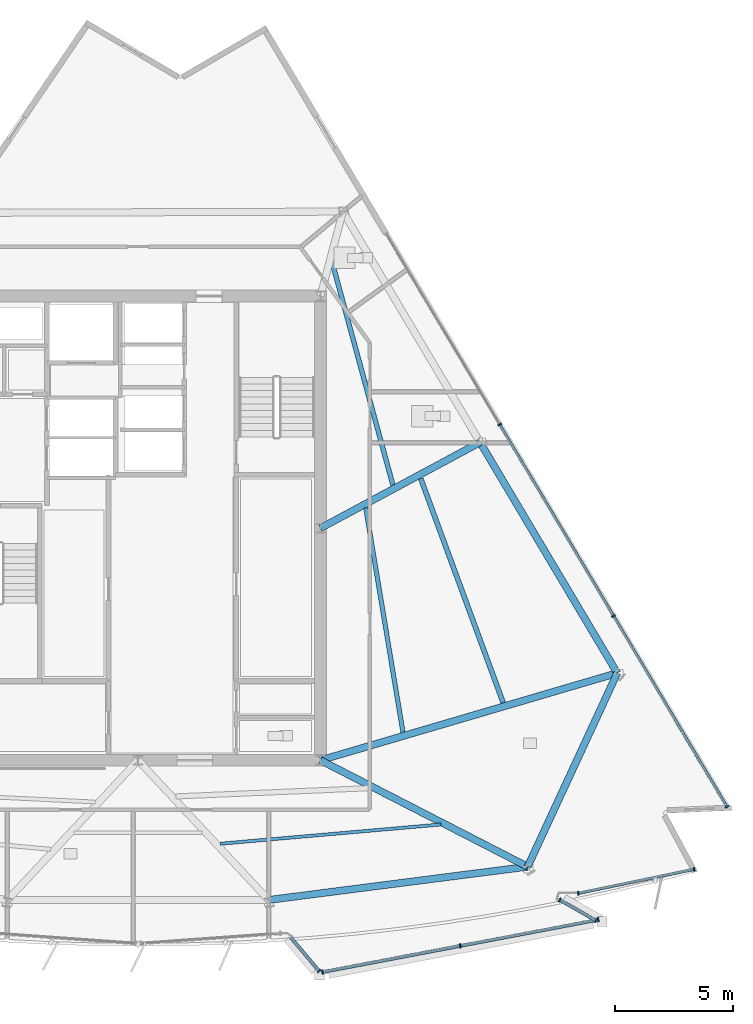
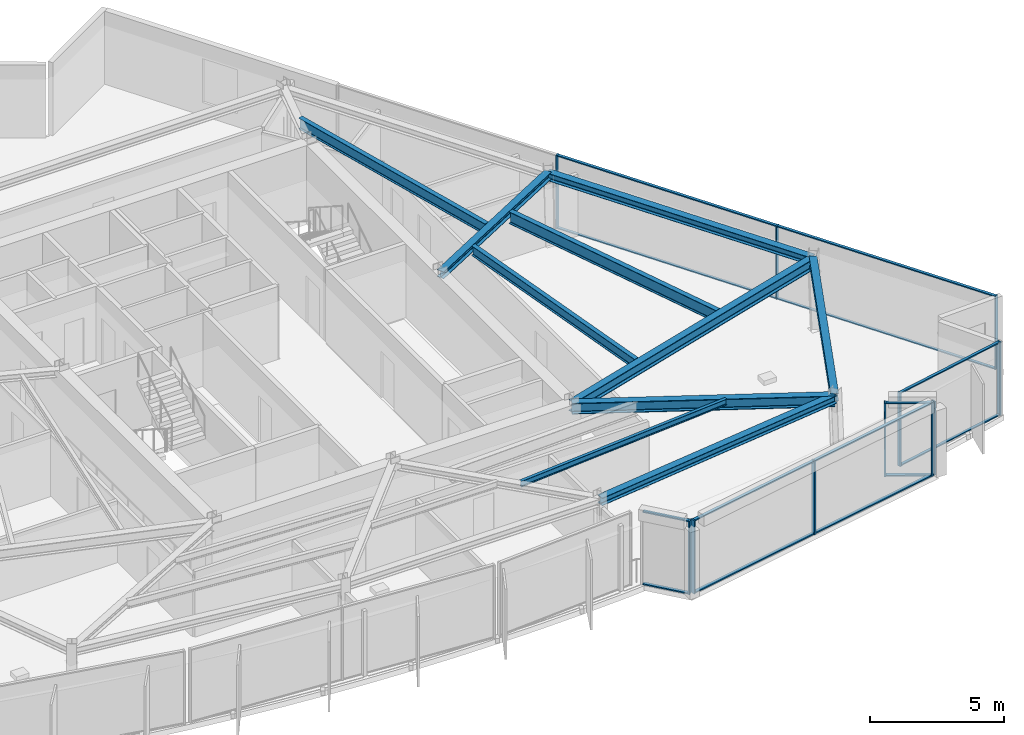
# One storey, part 5 of 14: 25 members, 10 beams, 5 elements without a shape of their own.
"""IFC4 building model written with IfcOpenShell, lengths in metres."""

import ifcopenshell
import ifcopenshell.guid

model = None  # the IFC model being written
_history = None  # IfcOwnerHistory: only IFC2X3 demands one
_inside = {}  # id of a spatial element -> (the spatial element, [elements in it])
_under = {}  # id of a project, library or spatial element -> (it, [spatial elements below it])
_declared = {}  # id of a project -> (the project, [libraries it declares])
_typed = {}  # id of a type object -> (the type object, [elements of that type])
_made_of = {}  # id of a material, layer set ... -> (it, [elements and type objects made of it])


def new_model(schema):
    """Start an empty IFC model of exactly this schema.

    Asked for "IFC4X3", IfcOpenShell would pick the latest addendum, in which some entities
    have other attributes; the version numbers below select the first issue.
    IFC2X3 requires an IfcOwnerHistory on every rooted entity: one is made here for all.
    """
    global model, _history
    if schema == "IFC4X3":
        model = ifcopenshell.file(schema_version=(4, 3, 0, 0))
    else:
        model = ifcopenshell.file(schema=schema)
    _inside.clear()
    _under.clear()
    _declared.clear()
    _typed.clear()
    _made_of.clear()
    _history = None
    if model.schema == "IFC2X3":
        org = make("IfcOrganization", Name="unknown")
        user = make(
            "IfcPersonAndOrganization",
            ThePerson=make("IfcPerson", FamilyName="unknown"),
            TheOrganization=org,
        )
        app = make(
            "IfcApplication",
            ApplicationDeveloper=org,
            Version="unknown",
            ApplicationFullName="unknown",
            ApplicationIdentifier="unknown",
        )
        _history = make(
            "IfcOwnerHistory",
            OwningUser=user,
            OwningApplication=app,
            ChangeAction="ADDED",
            CreationDate=0,
        )
    return model


def make(cls, **values):
    """One entity of the class cls with the attributes given. An attribute that is None is left unset."""
    return model.create_entity(
        cls, **{name: value for name, value in values.items() if value is not None}
    )


def rooted(cls, **values):
    """An entity with a GlobalId (a new one), such as an element, a storey or a relation."""
    return make(cls, GlobalId=ifcopenshell.guid.new(), OwnerHistory=_history, **values)


def si_unit(unit_type, name, prefix=None):
    """IfcSIUnit, for example si_unit("LENGTHUNIT", "METRE", prefix="MILLI")."""
    return make("IfcSIUnit", UnitType=unit_type, Prefix=prefix, Name=name)


def assignment(units):
    """IfcUnitAssignment: the units of a project."""
    return None if units is None else make("IfcUnitAssignment", Units=units)


def point(xyz):
    """IfcCartesianPoint."""
    return None if xyz is None else make("IfcCartesianPoint", Coordinates=xyz)


def direction(xyz):
    """IfcDirection."""
    return None if xyz is None else make("IfcDirection", DirectionRatios=xyz)


def frame(location, z_axis=None, x_axis=None):
    """IfcAxis2Placement3D, a coordinate frame: its origin and axes. An axis left out is left unset."""
    return make(
        "IfcAxis2Placement3D",
        Location=point(location),
        Axis=direction(z_axis),
        RefDirection=direction(x_axis),
    )


def frame_2d(location, x_axis=None):
    """IfcAxis2Placement2D, a coordinate frame in the plane: its origin and x axis."""
    return make(
        "IfcAxis2Placement2D", Location=point(location), RefDirection=direction(x_axis)
    )


def origin():
    """The frame at (0, 0, 0) with its axes left unset."""
    return frame((0.0, 0.0, 0.0))


def origin_2d():
    """The frame at (0, 0) in the plane with its x axis left unset."""
    return frame_2d((0.0, 0.0))


def place(relative_to, where):
    """IfcLocalPlacement: puts the frame where relative to a parent placement (None: the world)."""
    return make(
        "IfcLocalPlacement", PlacementRelTo=relative_to, RelativePlacement=where
    )


def context(
    kind, dimensions, precision=None, world=None, true_north=None, identifier=None
):
    """IfcGeometricRepresentationContext, for example the 3D "Model" context."""
    return make(
        "IfcGeometricRepresentationContext",
        ContextIdentifier=identifier,
        ContextType=kind,
        CoordinateSpaceDimension=dimensions,
        Precision=precision,
        WorldCoordinateSystem=world,
        TrueNorth=true_north,
    )


def subcontext(parent, identifier, kind, view, scale=None):
    """IfcGeometricRepresentationSubContext, for example "Body" below "Model"."""
    return make(
        "IfcGeometricRepresentationSubContext",
        ContextIdentifier=identifier,
        ContextType=kind,
        ParentContext=parent,
        TargetScale=scale,
        TargetView=view,
    )


def project(units=None, contexts=None):
    """IfcProject with its units and contexts."""
    return rooted(
        "IfcProject",
        Name="project",
        RepresentationContexts=contexts,
        UnitsInContext=assignment(units),
    )


def spatial(cls, under=None, at=None, **own):
    """A site, building, storey or space (cls), placed at a placement, below another one or the project."""
    s = rooted(cls, ObjectPlacement=at, **own)
    if under is not None:
        _under.setdefault(under.id(), (under, []))[1].append(s)
    return s


def profile(cls, at=None, kind="AREA", **sizes):
    """A parametric profile (cls). Its sizes go by their IFC names, for example OverallWidth=200.0."""
    return make(cls, ProfileType=kind, Position=at, **sizes)


def rectangle(**sizes):
    """IfcRectangleProfileDef."""
    return profile("IfcRectangleProfileDef", **sizes)


def i_section(**sizes):
    """IfcIShapeProfileDef."""
    return profile("IfcIShapeProfileDef", **sizes)


def extrude(swept, where, along, depth):
    """IfcExtrudedAreaSolid: the profile swept, set in the frame where, extruded along a direction by depth."""
    return make(
        "IfcExtrudedAreaSolid",
        SweptArea=swept,
        Position=where,
        ExtrudedDirection=direction(along),
        Depth=depth,
    )


def shape(context_of_items, identifier, shape_type, items):
    """IfcShapeRepresentation: the items that make up one representation, for example the "Body"."""
    return make(
        "IfcShapeRepresentation",
        ContextOfItems=context_of_items,
        RepresentationIdentifier=identifier,
        RepresentationType=shape_type,
        Items=items,
    )


def material(Name=None, Category=None):
    """IfcMaterial."""
    return make("IfcMaterial", Name=Name, Category=Category)


def material_profile(
    of_material, cross_section, Name=None, Category=None, Priority=None
):
    """IfcMaterialProfile: a cross section and its material."""
    return make(
        "IfcMaterialProfile",
        Name=Name,
        Material=of_material,
        Profile=cross_section,
        Priority=Priority,
        Category=Category,
    )


def profile_set(profiles, Name=None, composite=None):
    """IfcMaterialProfileSet."""
    return make(
        "IfcMaterialProfileSet",
        Name=Name,
        MaterialProfiles=profiles,
        CompositeProfile=composite,
    )


def made_of(thing, what):
    """Note that an element or type object is made of a material, layer set ...; save() writes the relation."""
    if what is not None:
        _made_of.setdefault(what.id(), (what, []))[1].append(thing)
    return thing


def type_object(cls, material=None, **own):
    """A type object (cls), such as IfcWallType, which elements share."""
    return made_of(rooted(cls, **own), material)


def element(
    cls,
    number,
    at=None,
    inside=None,
    cuts=None,
    type_object=None,
    material=None,
    context=None,
    identifier="Body",
    shape_type=None,
    held_by="IfcProductDefinitionShape",
    body=None,
    shapes=None,
    **own,
):
    """One element of the class cls, such as IfcWall. Its Tag is "e" and its number.

    at: its placement. inside: the storey or other place that contains it. cuts: it is an
    opening in that element (IfcRelVoidsElement). A single representation is given by context,
    identifier, shape_type and body (its items); several are given by shapes. held_by: the class
    of the entity that holds the representations. save() writes the other relations.
    """
    e = rooted(cls, Tag="e%d" % number, ObjectPlacement=at, **own)
    if body is not None:
        shapes = [shape(context, identifier, shape_type, body)]
    if shapes is not None:
        e.Representation = make(held_by, Representations=shapes)
    if inside is not None:
        _inside.setdefault(inside.id(), (inside, []))[1].append(e)
    if cuts is not None:
        rooted(
            "IfcRelVoidsElement", RelatingBuildingElement=cuts, RelatedOpeningElement=e
        )
    if type_object is not None:
        _typed.setdefault(type_object.id(), (type_object, []))[1].append(e)
    return made_of(e, material)


def aggregate(whole, parts):
    """IfcRelAggregates: a whole, such as a stair, and the parts it consists of."""
    return rooted("IfcRelAggregates", RelatingObject=whole, RelatedObjects=parts)


def save(model, path):
    """Write the relations noted so far, then the file.

    IfcRelAggregates (storeys below a building ...), IfcRelContainedInSpatialStructure (elements
    in a storey), IfcRelDefinesByType, IfcRelAssociatesMaterial and IfcRelDeclares: one each for
    every whole, place, type object, material and project.
    """
    for whole, parts in _under.values():
        aggregate(whole, parts)
    for where, things in _inside.values():
        rooted(
            "IfcRelContainedInSpatialStructure",
            RelatedElements=things,
            RelatingStructure=where,
        )
    for kind, things in _typed.values():
        rooted("IfcRelDefinesByType", RelatedObjects=things, RelatingType=kind)
    for what, things in _made_of.values():
        rooted("IfcRelAssociatesMaterial", RelatedObjects=things, RelatingMaterial=what)
    for by, libraries in _declared.values():
        rooted("IfcRelDeclares", RelatingContext=by, RelatedDefinitions=libraries)
    model.write(path)


model = new_model("IFC4")

# Units and contexts
model_context = context("Model", 3, precision=1e-05, world=origin(), true_north=direction((0.0, 1.0)))
body_context = subcontext(model_context, "Body", "Model", "MODEL_VIEW")
ifc_project = project(units=[si_unit("LENGTHUNIT", "METRE"), si_unit("AREAUNIT", "SQUARE_METRE"), si_unit("VOLUMEUNIT", "CUBIC_METRE"), si_unit("PLANEANGLEUNIT", "RADIAN"), si_unit("MASSUNIT", "GRAM", prefix="KILO")], contexts=[model_context])

# Site, building, storey
site_placement = place(None, origin())
site = spatial("IfcSite", under=ifc_project, at=site_placement, CompositionType="ELEMENT")
building_placement = place(site_placement, origin())
building = spatial("IfcBuilding", under=site, at=building_placement, Name="Savorim Split Tower", CompositionType="ELEMENT")
storey_placement = place(building_placement, frame((0.0, 0.0, 219.89990234375)))
storey = spatial("IfcBuildingStorey", under=building, at=storey_placement, Name="L58", CompositionType="ELEMENT", Elevation=219.89990234375)

# Beams
ifc_material_1 = material(Name="Steel S355", Category="steel")
ifc_material_profile_1 = material_profile(ifc_material_1, i_section(OverallWidth=0.135009765625, OverallDepth=0.27001953125, WebThickness=0.006591796875, FlangeThickness=0.01025390625, FilletRadius=0.014892578125, at=origin_2d()), Name="IPE 270")
ifc_profile_set_1 = profile_set([ifc_material_profile_1], Name="Steel S355")
beam_type_1 = type_object("IfcBeamType", Name="BM-JST-IPE270", PredefinedType="JOIST", material=ifc_profile_set_1)
beam_1_placement = place(storey_placement, frame((3.467041015625, -12.925048828125, 3.215087890625), z_axis=(0.996205262768, 0.087034903535, 0.0), x_axis=(-0.087034903535, 0.996205262768, 0.0)))
element("IfcBeam", 1, at=beam_1_placement, inside=storey, type_object=beam_type_1, Name="L58 Secondary Floor Joist JS-04", PredefinedType="JOIST", context=body_context, shape_type="SweptSolid", body=[
    extrude(i_section(OverallWidth=0.135009765625, OverallDepth=0.27001953125, WebThickness=0.006591796875, FlangeThickness=0.01025390625, FilletRadius=0.014892578125, at=origin_2d()), origin(), (0.0, 0.0, 1.0), 9.357666015625),
])
ifc_material_profile_2 = material_profile(ifc_material_1, i_section(OverallWidth=0.18994140625, OverallDepth=0.449951171875, WebThickness=0.009521484375, FlangeThickness=0.0146484375, FilletRadius=0.02099609375, at=origin_2d()), Name="IPE 450")
ifc_profile_set_2 = profile_set([ifc_material_profile_2], Name="Steel S355")
beam_type_2 = type_object("IfcBeamType", Name="BM-JST-IPE450", PredefinedType="JOIST", material=ifc_profile_set_2)
beam_2_placement = place(storey_placement, frame((11.1826171875, -8.21142578125, 3.125), z_axis=(-0.163545012458, 0.986535873093, 0.0), x_axis=(-0.986535873093, -0.163545012458, 0.0)))
element("IfcBeam", 2, at=beam_2_placement, inside=storey, type_object=beam_type_2, Name="L58 Secondary Floor Joist JS-08", PredefinedType="JOIST", context=body_context, shape_type="SweptSolid", body=[
    extrude(i_section(OverallWidth=0.18994140625, OverallDepth=0.449951171875, WebThickness=0.009521484375, FlangeThickness=0.0146484375, FilletRadius=0.02099609375, at=origin_2d()), origin(), (0.0, 0.0, 1.0), 9.59716796875),
])
ifc_material_profile_3 = material_profile(ifc_material_1, i_section(OverallWidth=0.199951171875, OverallDepth=0.5, WebThickness=0.01025390625, FlangeThickness=0.01611328125, FilletRadius=0.02099609375, at=origin_2d()), Name="IPE 500")
ifc_profile_set_3 = profile_set([ifc_material_profile_3], Name="Steel S355")
beam_type_3 = type_object("IfcBeamType", Name="BM-JST-IPE500", PredefinedType="JOIST", material=ifc_profile_set_3)
beam_3_placement = place(storey_placement, frame((10.757568359375, 2.220947265625, 3.10009765625), z_axis=(-0.263052125534, 0.964781622572, 0.0), x_axis=(-0.964781622572, -0.263052125534, 0.0)))
element("IfcBeam", 3, at=beam_3_placement, inside=storey, type_object=beam_type_3, Name="L58 Secondary Floor Joist JS-07", PredefinedType="JOIST", context=body_context, shape_type="SweptSolid", body=[
    extrude(i_section(OverallWidth=0.199951171875, OverallDepth=0.5, WebThickness=0.01025390625, FlangeThickness=0.01611328125, FilletRadius=0.02099609375, at=origin_2d()), origin(), (0.0, 0.0, 1.0), 9.81005859375),
])
ifc_material_profile_4 = material_profile(ifc_material_1, i_section(OverallWidth=0.2099609375, OverallDepth=0.550048828125, WebThickness=0.010986328125, FlangeThickness=0.01708984375, FilletRadius=0.02392578125, at=origin_2d()), Name="IPE 550")
ifc_profile_set_4 = profile_set([ifc_material_profile_4], Name="Steel S355")
beam_type_4 = type_object("IfcBeamType", Name="BM-JST-IPE550", PredefinedType="JOIST", material=ifc_profile_set_4)
beam_4_placement = place(storey_placement, frame((15.414306640625, -6.967529296875, 3.0751953125), z_axis=(-0.345234073636, 0.938516613812, 0.0), x_axis=(-0.938516613812, -0.345234073636, 0.0)))
element("IfcBeam", 4, at=beam_4_placement, inside=storey, type_object=beam_type_4, Name="L58 Secondary Floor Joist JS-06", PredefinedType="JOIST", context=body_context, shape_type="SweptSolid", body=[
    extrude(i_section(OverallWidth=0.2099609375, OverallDepth=0.550048828125, WebThickness=0.010986328125, FlangeThickness=0.01708984375, FilletRadius=0.02392578125, at=origin_2d()), origin(), (0.0, 0.0, 1.0), 10.08349609375),
])
ifc_material_profile_5 = material_profile(ifc_material_1, i_section(OverallWidth=0.300048828125, OverallDepth=0.320068359375, WebThickness=0.011474609375, FlangeThickness=0.0205078125, FilletRadius=0.027099609375, at=origin_2d()), Name="HEB 320")
ifc_profile_set_5 = profile_set([ifc_material_profile_5], Name="Steel S355")
beam_type_5 = type_object("IfcBeamType", Name="BM-PRI-HEB320", PredefinedType="BEAM", material=ifc_profile_set_5)
beam_5_placement = place(storey_placement, frame((14.4384765625, 4.023193359375, 3.190185546875), z_axis=(-0.8807516962, -0.473578345832, 0.0), x_axis=(0.473578345832, -0.8807516962, 0.0)))
element("IfcBeam", 5, at=beam_5_placement, inside=storey, type_object=beam_type_5, Name="L58 Primary Floor Girder RG-06", PredefinedType="BEAM", context=body_context, shape_type="SweptSolid", body=[
    extrude(i_section(OverallWidth=0.300048828125, OverallDepth=0.320068359375, WebThickness=0.011474609375, FlangeThickness=0.0205078125, FilletRadius=0.027099609375, at=origin_2d()), origin(), (0.0, 0.0, 1.0), 7.65087890625),
])
ifc_material_profile_6 = material_profile(ifc_material_1, i_section(OverallWidth=0.300048828125, OverallDepth=0.5, WebThickness=0.014404296875, FlangeThickness=0.028076171875, FilletRadius=0.027099609375, at=origin_2d()), Name="HEB 500")
ifc_profile_set_6 = profile_set([ifc_material_profile_6], Name="Steel S355")
beam_type_6 = type_object("IfcBeamType", Name="BM-PRI-HEB500", PredefinedType="BEAM", material=ifc_profile_set_6)
beam_6_placement = place(storey_placement, frame((16.447998046875, -13.894287109375, 3.10009765625), z_axis=(-0.889478397025, 0.45697722178, 0.0), x_axis=(-0.45697722178, -0.889478397025, 0.0)))
element("IfcBeam", 6, at=beam_6_placement, inside=storey, type_object=beam_type_6, Name="L58 Primary Floor Girder RG-04", PredefinedType="BEAM", context=body_context, shape_type="SweptSolid", body=[
    extrude(i_section(OverallWidth=0.300048828125, OverallDepth=0.5, WebThickness=0.014404296875, FlangeThickness=0.028076171875, FilletRadius=0.027099609375, at=origin_2d()), origin(), (0.0, 0.0, 1.0), 9.8349609375),
])
beam_7_placement = place(storey_placement, frame((20.231201171875, -5.718994140625, 3.10009765625), z_axis=(-0.959463967234, -0.281831324696, 0.0), x_axis=(0.281831324696, -0.959463967234, 0.0)))
element("IfcBeam", 7, at=beam_7_placement, inside=storey, type_object=beam_type_6, Name="L58 Primary Floor Girder RG-05", PredefinedType="BEAM", context=body_context, shape_type="SweptSolid", body=[
    extrude(i_section(OverallWidth=0.300048828125, OverallDepth=0.5, WebThickness=0.014404296875, FlangeThickness=0.028076171875, FilletRadius=0.027099609375, at=origin_2d()), origin(), (0.0, 0.0, 1.0), 13.060791015625),
])
ifc_material_profile_7 = material_profile(ifc_material_1, i_section(OverallWidth=0.300048828125, OverallDepth=0.35009765625, WebThickness=0.010009765625, FlangeThickness=0.017578125, FilletRadius=0.027099609375, at=origin_2d()), Name="HEA 360")
ifc_profile_set_7 = profile_set([ifc_material_profile_7], Name="Steel S355")
beam_type_7 = type_object("IfcBeamType", Name="BM-SPN-HEA360", PredefinedType="SPANDREL", material=ifc_profile_set_7)
beam_8_placement = place(storey_placement, frame((5.5126953125, -15.29833984375, 3.175048828125), z_axis=(0.991857726894, 0.127350891638, 0.0), x_axis=(-0.127350891638, 0.991857726894, 0.0)))
element("IfcBeam", 8, at=beam_8_placement, inside=storey, type_object=beam_type_7, Name="L58 Perimeter Spandrel Beam 3", PredefinedType="SPANDREL", context=body_context, shape_type="SweptSolid", body=[
    extrude(i_section(OverallWidth=0.300048828125, OverallDepth=0.35009765625, WebThickness=0.010009765625, FlangeThickness=0.017578125, FilletRadius=0.027099609375, at=origin_2d()), origin(), (0.0, 0.0, 1.0), 11.025146484375),
])
beam_9_placement = place(storey_placement, frame((16.447998046875, -13.894287109375, 3.175048828125), z_axis=(0.419972293269, 0.907536926459, 0.0), x_axis=(-0.907536926459, 0.419972293269, 0.0)))
element("IfcBeam", 9, at=beam_9_placement, inside=storey, type_object=beam_type_7, Name="L58 Perimeter Spandrel Beam 4", PredefinedType="SPANDREL", context=body_context, shape_type="SweptSolid", body=[
    extrude(i_section(OverallWidth=0.300048828125, OverallDepth=0.35009765625, WebThickness=0.010009765625, FlangeThickness=0.017578125, FilletRadius=0.027099609375, at=origin_2d()), origin(), (0.0, 0.0, 1.0), 9.00830078125),
])
beam_10_placement = place(storey_placement, frame((20.231201171875, -5.718994140625, 3.175048828125), z_axis=(-0.511080124002, 0.859533074902, 0.0), x_axis=(-0.859533074902, -0.511080124002, 0.0)))
element("IfcBeam", 10, at=beam_10_placement, inside=storey, type_object=beam_type_7, Name="L58 Perimeter Spandrel Beam 5", PredefinedType="SPANDREL", context=body_context, shape_type="SweptSolid", body=[
    extrude(i_section(OverallWidth=0.300048828125, OverallDepth=0.35009765625, WebThickness=0.010009765625, FlangeThickness=0.017578125, FilletRadius=0.027099609375, at=origin_2d()), origin(), (0.0, 0.0, 1.0), 11.334228515625),
])

# Curtain wall, members
ifc_material_2 = material(Name="Dark Ceramic-Fritted Insulated Glass", Category="glass")
curtain_wall_type_1 = type_object("IfcCurtainWallType", Name="CW-TWR-FRIT-B", PredefinedType="NOTDEFINED", material=ifc_material_2)
curtain_wall_1_placement = place(storey_placement, origin())
curtain_wall_1 = element("IfcCurtainWall", 11, at=curtain_wall_1_placement, inside=storey, type_object=curtain_wall_type_1, Name="L58 Curtain Wall CW-L58-SF4A", PredefinedType="NOTDEFINED")
ifc_material_3 = material(Name="Charcoal Anodised Aluminium", Category="aluminium")
ifc_material_profile_8 = material_profile(ifc_material_3, rectangle(XDim=0.159912109375, YDim=0.06005859375, at=origin_2d()), Name="ALU-M 160x60")
ifc_profile_set_8 = profile_set([ifc_material_profile_8], Name="Charcoal Anodised Aluminium")
member_type_1 = type_object("IfcMemberType", Name="CWM-160x60", PredefinedType="MULLION", material=ifc_profile_set_8)
member_1_placement = place(storey_placement, frame((18.582763671875, -15.015869140625, 0.0), z_axis=(0.0, 0.0, 1.0), x_axis=(-0.203212165958, 0.979134728016, 0.0)))
member_1 = element("IfcMember", 12, at=member_1_placement, type_object=member_type_1, Name="CW-03 mullion 1", PredefinedType="MULLION", context=body_context, shape_type="SweptSolid", body=[
    extrude(rectangle(XDim=0.159912109375, YDim=0.06005859375, at=origin_2d()), origin(), (0.0, 0.0, 1.0), 3.35009765625),
])
member_2_placement = place(storey_placement, frame((23.47705078125, -14.0, 0.0), z_axis=(0.0, 0.0, 1.0), x_axis=(-0.203212165958, 0.979134728016, 0.0)))
member_2 = element("IfcMember", 13, at=member_2_placement, type_object=member_type_1, Name="CW-03 mullion 2", PredefinedType="MULLION", context=body_context, shape_type="SweptSolid", body=[
    extrude(rectangle(XDim=0.159912109375, YDim=0.06005859375, at=origin_2d()), origin(), (0.0, 0.0, 1.0), 3.35009765625),
])

curtain_wall_2_placement = place(storey_placement, origin())
curtain_wall_2 = element("IfcCurtainWall", 14, at=curtain_wall_2_placement, inside=storey, type_object=curtain_wall_type_1, Name="L58 Curtain Wall CW-L58-EAST", PredefinedType="NOTDEFINED")
member_3_placement = place(storey_placement, frame((24.8623046875, -11.363037109375, 0.0), z_axis=(0.0, 0.0, 1.0), x_axis=(-0.859523513249, -0.51109620442, 0.0)))
member_3 = element("IfcMember", 15, at=member_3_placement, type_object=member_type_1, Name="CW-03 mullion 1", PredefinedType="MULLION", context=body_context, shape_type="SweptSolid", body=[
    extrude(rectangle(XDim=0.159912109375, YDim=0.06005859375, at=origin_2d()), origin(), (0.0, 0.0, 1.0), 3.35009765625),
])
member_4_placement = place(storey_placement, frame((20.072021484375, -3.30712890625, 0.0), z_axis=(0.0, 0.0, 1.0), x_axis=(-0.859523513249, -0.51109620442, 0.0)))
member_4 = element("IfcMember", 16, at=member_4_placement, type_object=member_type_1, Name="CW-03 mullion 2", PredefinedType="MULLION", context=body_context, shape_type="SweptSolid", body=[
    extrude(rectangle(XDim=0.159912109375, YDim=0.06005859375, at=origin_2d()), origin(), (0.0, 0.0, 1.0), 3.35009765625),
])
member_5_placement = place(storey_placement, frame((15.266357421875, 4.7744140625, 0.0), z_axis=(0.0, 0.0, 1.0), x_axis=(-0.859523513249, -0.51109620442, 0.0)))
member_5 = element("IfcMember", 17, at=member_5_placement, type_object=member_type_1, Name="CW-03 mullion 3", PredefinedType="MULLION", context=body_context, shape_type="SweptSolid", body=[
    extrude(rectangle(XDim=0.159912109375, YDim=0.06005859375, at=origin_2d()), origin(), (0.0, 0.0, 1.0), 3.35009765625),
])

curtain_wall_type_2 = type_object("IfcCurtainWallType", Name="CW-BAY-LOUNGE", PredefinedType="NOTDEFINED", material=ifc_material_2)
curtain_wall_3_placement = place(storey_placement, origin())
curtain_wall_3 = element("IfcCurtainWall", 18, at=curtain_wall_3_placement, inside=storey, type_object=curtain_wall_type_2, Name="L58 Curtain Wall CW-L58-BAYF", PredefinedType="NOTDEFINED")
ifc_material_profile_9 = material_profile(ifc_material_3, rectangle(XDim=0.179931640625, YDim=0.06494140625, at=origin_2d()), Name="ALU-M 180x65")
ifc_profile_set_9 = profile_set([ifc_material_profile_9], Name="Charcoal Anodised Aluminium")
member_type_2 = type_object("IfcMemberType", Name="CWM-180x65", PredefinedType="MULLION", material=ifc_profile_set_9)
member_6_placement = place(storey_placement, frame((7.78515625, -18.3408203125, 0.0), z_axis=(0.0, 0.0, 1.0), x_axis=(-0.186567075437, 0.982442225458, 0.0)))
member_6 = element("IfcMember", 19, at=member_6_placement, type_object=member_type_2, Name="CW-04 mullion 1", PredefinedType="MULLION", context=body_context, shape_type="SweptSolid", body=[
    extrude(rectangle(XDim=0.179931640625, YDim=0.06494140625, at=origin_2d()), origin(), (0.0, 0.0, 1.0), 3.35009765625),
])
member_7_placement = place(storey_placement, frame((13.60546875, -17.235595703125, 0.0), z_axis=(0.0, 0.0, 1.0), x_axis=(-0.186567075437, 0.982442225458, 0.0)))
member_7 = element("IfcMember", 20, at=member_7_placement, type_object=member_type_2, Name="CW-04 mullion 2", PredefinedType="MULLION", context=body_context, shape_type="SweptSolid", body=[
    extrude(rectangle(XDim=0.179931640625, YDim=0.06494140625, at=origin_2d()), origin(), (0.0, 0.0, 1.0), 3.35009765625),
])
member_8_placement = place(storey_placement, frame((19.42578125, -16.13037109375, 0.0), z_axis=(0.0, 0.0, 1.0), x_axis=(-0.186567075437, 0.982442225458, 0.0)))
member_8 = element("IfcMember", 21, at=member_8_placement, type_object=member_type_2, Name="CW-04 mullion 3", PredefinedType="MULLION", context=body_context, shape_type="SweptSolid", body=[
    extrude(rectangle(XDim=0.179931640625, YDim=0.06494140625, at=origin_2d()), origin(), (0.0, 0.0, 1.0), 3.35009765625),
])

# Curtain wall, member
curtain_wall_4_placement = place(storey_placement, origin())
curtain_wall_4 = element("IfcCurtainWall", 22, at=curtain_wall_4_placement, inside=storey, type_object=curtain_wall_type_2, Name="L58 Curtain Wall CW-L58-BAYW", PredefinedType="NOTDEFINED")
member_9_placement = place(storey_placement, frame((7.64501953125, -18.3017578125, 0.0), z_axis=(0.0, 0.0, 1.0), x_axis=(0.764175565711, 0.645008298218, 0.0)))
member_9 = element("IfcMember", 23, at=member_9_placement, type_object=member_type_2, Name="CW-04 mullion 2", PredefinedType="MULLION", context=body_context, shape_type="SweptSolid", body=[
    extrude(rectangle(XDim=0.179931640625, YDim=0.06494140625, at=origin_2d()), origin(), (0.0, 0.0, 1.0), 3.35009765625),
])

# Curtain wall, members
curtain_wall_5_placement = place(storey_placement, origin())
curtain_wall_5 = element("IfcCurtainWall", 24, at=curtain_wall_5_placement, inside=storey, type_object=curtain_wall_type_2, Name="L58 Curtain Wall CW-L58-BAYE", PredefinedType="NOTDEFINED")
member_10_placement = place(storey_placement, frame((19.33837890625, -16.169189453125, 0.0), z_axis=(0.0, 0.0, 1.0), x_axis=(-0.49632671971, -0.868135811554, 0.0)))
member_10 = element("IfcMember", 25, at=member_10_placement, type_object=member_type_2, Name="CW-04 mullion 1", PredefinedType="MULLION", context=body_context, shape_type="SweptSolid", body=[
    extrude(rectangle(XDim=0.179931640625, YDim=0.06494140625, at=origin_2d()), origin(), (0.0, 0.0, 1.0), 3.35009765625),
])
member_11_placement = place(storey_placement, frame((17.8017578125, -15.29052734375, 0.0), z_axis=(0.0, 0.0, 1.0), x_axis=(-0.49632671971, -0.868135811554, 0.0)))
member_11 = element("IfcMember", 26, at=member_11_placement, type_object=member_type_2, Name="CW-04 mullion 2", PredefinedType="MULLION", context=body_context, shape_type="SweptSolid", body=[
    extrude(rectangle(XDim=0.179931640625, YDim=0.06494140625, at=origin_2d()), origin(), (0.0, 0.0, 1.0), 3.35009765625),
])

# Member
ifc_material_profile_10 = material_profile(ifc_material_3, rectangle(XDim=0.1201171875, YDim=0.050048828125, at=origin_2d()), Name="ALU-T 120x50")
ifc_profile_set_10 = profile_set([ifc_material_profile_10], Name="Charcoal Anodised Aluminium")
member_type_3 = type_object("IfcMemberType", Name="CWT-120x50", PredefinedType="USERDEFINED", material=ifc_profile_set_10)
member_12_placement = place(storey_placement, frame((18.612060546875, -15.009765625, 0.025146484375), z_axis=(0.979132723929, 0.203221821986, 0.0), x_axis=(-0.203221821986, 0.979132723929, 0.0)))
member_12 = element("IfcMember", 27, at=member_12_placement, type_object=member_type_3, Name="CW-03 transom 1.1", ObjectType="TRANSOM", PredefinedType="USERDEFINED", context=body_context, shape_type="SweptSolid", body=[
    extrude(rectangle(XDim=0.1201171875, YDim=0.050048828125, at=origin_2d()), origin(), (0.0, 0.0, 1.0), 4.938720703125),
])

member_13_placement = place(storey_placement, frame((18.612060546875, -15.009765625, 3.3251953125), z_axis=(0.979132723929, 0.203221821986, 0.0), x_axis=(-0.203221821986, 0.979132723929, 0.0)))
member_13 = element("IfcMember", 28, at=member_13_placement, type_object=member_type_3, Name="CW-03 transom 1.2", ObjectType="TRANSOM", PredefinedType="USERDEFINED", context=body_context, shape_type="SweptSolid", body=[
    extrude(rectangle(XDim=0.1201171875, YDim=0.050048828125, at=origin_2d()), origin(), (0.0, 0.0, 1.0), 4.938720703125),
])

aggregate(curtain_wall_1, [member_1, member_2, member_12, member_13])

member_14_placement = place(storey_placement, frame((24.846923828125, -11.33740234375, 0.025146484375), z_axis=(-0.511087432816, 0.859528729024, 0.0), x_axis=(-0.859528729024, -0.511087432816, 0.0)))
member_14 = element("IfcMember", 29, at=member_14_placement, type_object=member_type_3, Name="CW-03 transom 1.1", ObjectType="TRANSOM", PredefinedType="USERDEFINED", context=body_context, shape_type="SweptSolid", body=[
    extrude(rectangle(XDim=0.1201171875, YDim=0.050048828125, at=origin_2d()), origin(), (0.0, 0.0, 1.0), 9.3125),
])

member_15_placement = place(storey_placement, frame((24.846923828125, -11.33740234375, 3.3251953125), z_axis=(-0.511087432816, 0.859528729024, 0.0), x_axis=(-0.859528729024, -0.511087432816, 0.0)))
member_15 = element("IfcMember", 30, at=member_15_placement, type_object=member_type_3, Name="CW-03 transom 1.2", ObjectType="TRANSOM", PredefinedType="USERDEFINED", context=body_context, shape_type="SweptSolid", body=[
    extrude(rectangle(XDim=0.1201171875, YDim=0.050048828125, at=origin_2d()), origin(), (0.0, 0.0, 1.0), 9.3125),
])

member_16_placement = place(storey_placement, frame((20.056640625, -3.281494140625, 0.025146484375), z_axis=(-0.511086872234, 0.859529062354, 0.0), x_axis=(-0.859529062354, -0.511086872234, 0.0)))
member_16 = element("IfcMember", 31, at=member_16_placement, type_object=member_type_3, Name="CW-03 transom 2.1", ObjectType="TRANSOM", PredefinedType="USERDEFINED", context=body_context, shape_type="SweptSolid", body=[
    extrude(rectangle(XDim=0.1201171875, YDim=0.050048828125, at=origin_2d()), origin(), (0.0, 0.0, 1.0), 9.342529296875),
])

member_17_placement = place(storey_placement, frame((20.056640625, -3.281494140625, 3.3251953125), z_axis=(-0.511086872234, 0.859529062354, 0.0), x_axis=(-0.859529062354, -0.511086872234, 0.0)))
member_17 = element("IfcMember", 32, at=member_17_placement, type_object=member_type_3, Name="CW-03 transom 2.2", ObjectType="TRANSOM", PredefinedType="USERDEFINED", context=body_context, shape_type="SweptSolid", body=[
    extrude(rectangle(XDim=0.1201171875, YDim=0.050048828125, at=origin_2d()), origin(), (0.0, 0.0, 1.0), 9.342529296875),
])

aggregate(curtain_wall_2, [member_3, member_4, member_5, member_14, member_15, member_16, member_17])

ifc_material_profile_11 = material_profile(ifc_material_3, rectangle(XDim=0.139892578125, YDim=0.054931640625, at=origin_2d()), Name="ALU-T 140x55")
ifc_profile_set_11 = profile_set([ifc_material_profile_11], Name="Charcoal Anodised Aluminium")
member_type_4 = type_object("IfcMemberType", Name="CWT-140x55", PredefinedType="USERDEFINED", material=ifc_profile_set_11)
member_18_placement = place(storey_placement, frame((7.817138671875, -18.3349609375, 0.027587890625), z_axis=(0.98243980616, 0.18657981475, 0.0), x_axis=(-0.18657981475, 0.98243980616, 0.0)))
member_18 = element("IfcMember", 33, at=member_18_placement, type_object=member_type_4, Name="CW-04 transom 1.1", ObjectType="TRANSOM", PredefinedType="USERDEFINED", context=body_context, shape_type="SweptSolid", body=[
    extrude(rectangle(XDim=0.139892578125, YDim=0.054931640625, at=origin_2d()), origin(), (0.0, 0.0, 1.0), 5.859375),
])

member_19_placement = place(storey_placement, frame((7.817138671875, -18.3349609375, 3.322509765625), z_axis=(0.98243980616, 0.18657981475, 0.0), x_axis=(-0.18657981475, 0.98243980616, 0.0)))
member_19 = element("IfcMember", 34, at=member_19_placement, type_object=member_type_4, Name="CW-04 transom 1.2", ObjectType="TRANSOM", PredefinedType="USERDEFINED", context=body_context, shape_type="SweptSolid", body=[
    extrude(rectangle(XDim=0.139892578125, YDim=0.054931640625, at=origin_2d()), origin(), (0.0, 0.0, 1.0), 5.859375),
])

member_20_placement = place(storey_placement, frame((13.637451171875, -17.2294921875, 0.027587890625), z_axis=(0.982447442896, 0.186539598874, 0.0), x_axis=(-0.186539598874, 0.982447442896, 0.0)))
member_20 = element("IfcMember", 35, at=member_20_placement, type_object=member_type_4, Name="CW-04 transom 2.1", ObjectType="TRANSOM", PredefinedType="USERDEFINED", context=body_context, shape_type="SweptSolid", body=[
    extrude(rectangle(XDim=0.139892578125, YDim=0.054931640625, at=origin_2d()), origin(), (0.0, 0.0, 1.0), 5.859375),
])

member_21_placement = place(storey_placement, frame((13.637451171875, -17.2294921875, 3.322509765625), z_axis=(0.982447442896, 0.186539598874, 0.0), x_axis=(-0.186539598874, 0.982447442896, 0.0)))
member_21 = element("IfcMember", 36, at=member_21_placement, type_object=member_type_4, Name="CW-04 transom 2.2", ObjectType="TRANSOM", PredefinedType="USERDEFINED", context=body_context, shape_type="SweptSolid", body=[
    extrude(rectangle(XDim=0.139892578125, YDim=0.054931640625, at=origin_2d()), origin(), (0.0, 0.0, 1.0), 5.859375),
])

aggregate(curtain_wall_3, [member_6, member_7, member_8, member_18, member_19, member_20, member_21])

member_22_placement = place(storey_placement, frame((6.45654296875, -16.893798828125, 0.027587890625), z_axis=(0.644974340374, -0.7642042268, 0.0), x_axis=(0.7642042268, 0.644974340374, 0.0)))
member_22 = element("IfcMember", 37, at=member_22_placement, type_object=member_type_4, Name="CW-04 transom 1.1", ObjectType="TRANSOM", PredefinedType="USERDEFINED", context=body_context, shape_type="SweptSolid", body=[
    extrude(rectangle(XDim=0.139892578125, YDim=0.054931640625, at=origin_2d()), origin(), (0.0, 0.0, 1.0), 1.81005859375),
])

member_23_placement = place(storey_placement, frame((6.45654296875, -16.893798828125, 3.322509765625), z_axis=(0.644974340374, -0.7642042268, 0.0), x_axis=(0.7642042268, 0.644974340374, 0.0)))
member_23 = element("IfcMember", 38, at=member_23_placement, type_object=member_type_4, Name="CW-04 transom 1.2", ObjectType="TRANSOM", PredefinedType="USERDEFINED", context=body_context, shape_type="SweptSolid", body=[
    extrude(rectangle(XDim=0.139892578125, YDim=0.054931640625, at=origin_2d()), origin(), (0.0, 0.0, 1.0), 1.81005859375),
])

aggregate(curtain_wall_4, [member_9, member_22, member_23])

member_24_placement = place(storey_placement, frame((19.310302734375, -16.153076171875, 0.027587890625), z_axis=(-0.86809331546, 0.496401043163, 0.0), x_axis=(-0.496401043163, -0.86809331546, 0.0)))
member_24 = element("IfcMember", 39, at=member_24_placement, type_object=member_type_4, Name="CW-04 transom 1.1", ObjectType="TRANSOM", PredefinedType="USERDEFINED", context=body_context, shape_type="SweptSolid", body=[
    extrude(rectangle(XDim=0.139892578125, YDim=0.054931640625, at=origin_2d()), origin(), (0.0, 0.0, 1.0), 1.705078125),
])

member_25_placement = place(storey_placement, frame((19.310302734375, -16.153076171875, 3.322509765625), z_axis=(-0.86809331546, 0.496401043163, 0.0), x_axis=(-0.496401043163, -0.86809331546, 0.0)))
member_25 = element("IfcMember", 40, at=member_25_placement, type_object=member_type_4, Name="CW-04 transom 1.2", ObjectType="TRANSOM", PredefinedType="USERDEFINED", context=body_context, shape_type="SweptSolid", body=[
    extrude(rectangle(XDim=0.139892578125, YDim=0.054931640625, at=origin_2d()), origin(), (0.0, 0.0, 1.0), 1.705078125),
])

aggregate(curtain_wall_5, [member_10, member_11, member_24, member_25])

save(model, "model.ifc")
